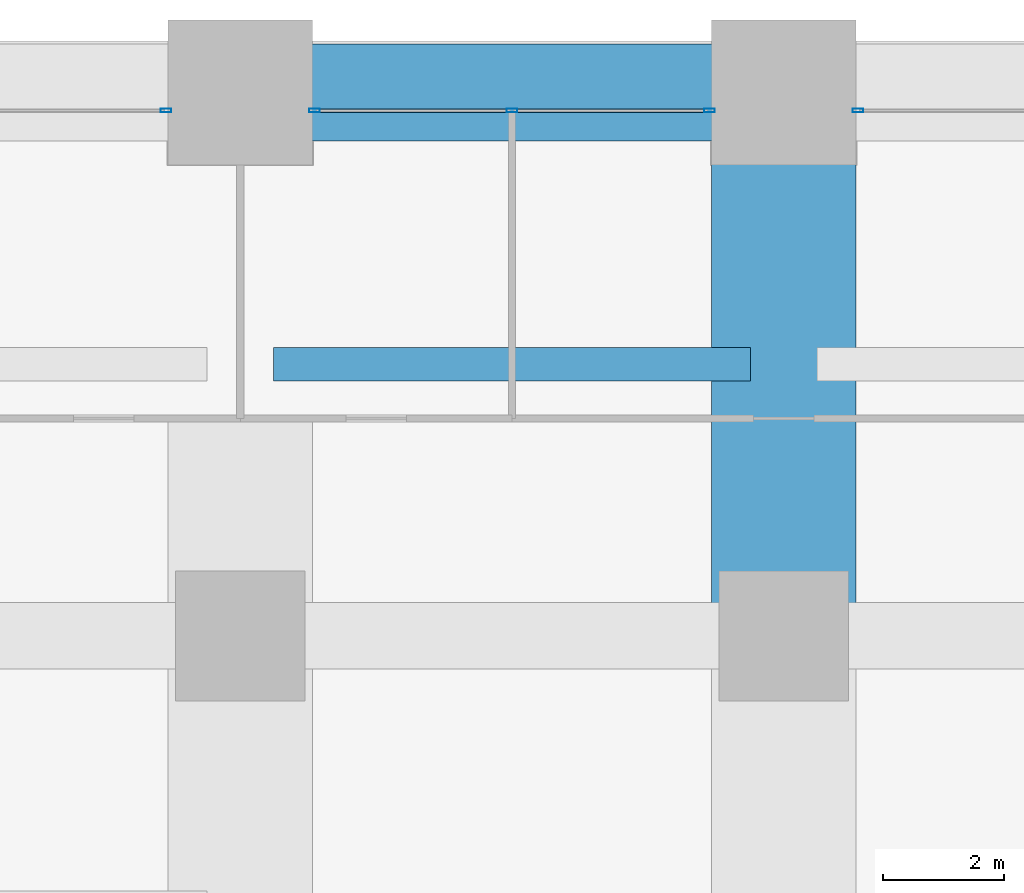
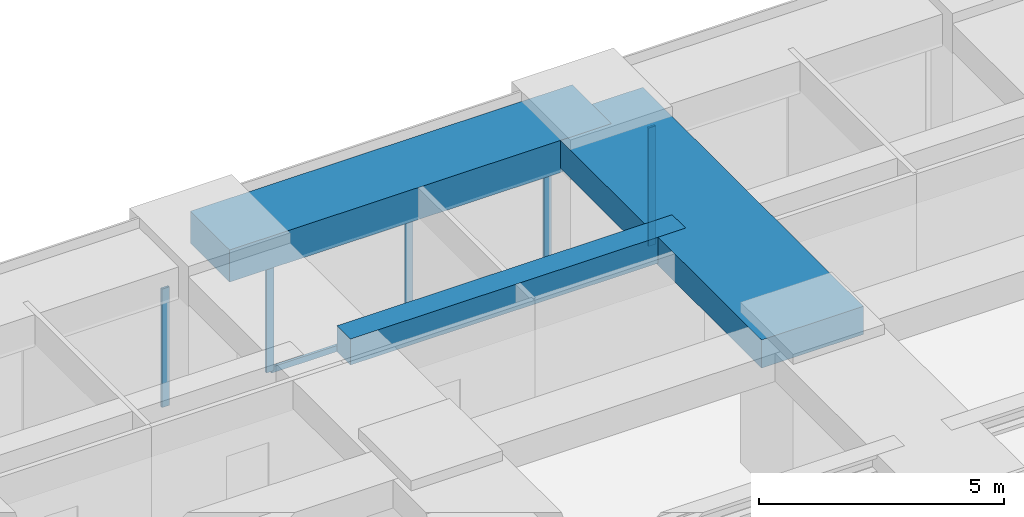
# One storey, part 29 of 45: 6 members, 3 beams, 3 elements without a shape of their own.
"""IFC4 building model written with IfcOpenShell, lengths in metres."""

import ifcopenshell
import ifcopenshell.guid

model = None  # the IFC model being written
_history = None  # IfcOwnerHistory: only IFC2X3 demands one
_inside = {}  # id of a spatial element -> (the spatial element, [elements in it])
_under = {}  # id of a project, library or spatial element -> (it, [spatial elements below it])
_declared = {}  # id of a project -> (the project, [libraries it declares])
_typed = {}  # id of a type object -> (the type object, [elements of that type])
_made_of = {}  # id of a material, layer set ... -> (it, [elements and type objects made of it])


def new_model(schema):
    """Start an empty IFC model of exactly this schema.

    Asked for "IFC4X3", IfcOpenShell would pick the latest addendum, in which some entities
    have other attributes; the version numbers below select the first issue.
    IFC2X3 requires an IfcOwnerHistory on every rooted entity: one is made here for all.
    """
    global model, _history
    if schema == "IFC4X3":
        model = ifcopenshell.file(schema_version=(4, 3, 0, 0))
    else:
        model = ifcopenshell.file(schema=schema)
    _inside.clear()
    _under.clear()
    _declared.clear()
    _typed.clear()
    _made_of.clear()
    _history = None
    if model.schema == "IFC2X3":
        org = make("IfcOrganization", Name="unknown")
        user = make(
            "IfcPersonAndOrganization",
            ThePerson=make("IfcPerson", FamilyName="unknown"),
            TheOrganization=org,
        )
        app = make(
            "IfcApplication",
            ApplicationDeveloper=org,
            Version="unknown",
            ApplicationFullName="unknown",
            ApplicationIdentifier="unknown",
        )
        _history = make(
            "IfcOwnerHistory",
            OwningUser=user,
            OwningApplication=app,
            ChangeAction="ADDED",
            CreationDate=0,
        )
    return model


def make(cls, **values):
    """One entity of the class cls with the attributes given. An attribute that is None is left unset."""
    return model.create_entity(
        cls, **{name: value for name, value in values.items() if value is not None}
    )


def rooted(cls, **values):
    """An entity with a GlobalId (a new one), such as an element, a storey or a relation."""
    return make(cls, GlobalId=ifcopenshell.guid.new(), OwnerHistory=_history, **values)


def si_unit(unit_type, name, prefix=None):
    """IfcSIUnit, for example si_unit("LENGTHUNIT", "METRE", prefix="MILLI")."""
    return make("IfcSIUnit", UnitType=unit_type, Prefix=prefix, Name=name)


def assignment(units):
    """IfcUnitAssignment: the units of a project."""
    return None if units is None else make("IfcUnitAssignment", Units=units)


def point(xyz):
    """IfcCartesianPoint."""
    return None if xyz is None else make("IfcCartesianPoint", Coordinates=xyz)


def direction(xyz):
    """IfcDirection."""
    return None if xyz is None else make("IfcDirection", DirectionRatios=xyz)


def frame(location, z_axis=None, x_axis=None):
    """IfcAxis2Placement3D, a coordinate frame: its origin and axes. An axis left out is left unset."""
    return make(
        "IfcAxis2Placement3D",
        Location=point(location),
        Axis=direction(z_axis),
        RefDirection=direction(x_axis),
    )


def frame_2d(location, x_axis=None):
    """IfcAxis2Placement2D, a coordinate frame in the plane: its origin and x axis."""
    return make(
        "IfcAxis2Placement2D", Location=point(location), RefDirection=direction(x_axis)
    )


def origin():
    """The frame at (0, 0, 0) with its axes left unset."""
    return frame((0.0, 0.0, 0.0))


def origin_2d():
    """The frame at (0, 0) in the plane with its x axis left unset."""
    return frame_2d((0.0, 0.0))


def place(relative_to, where):
    """IfcLocalPlacement: puts the frame where relative to a parent placement (None: the world)."""
    return make(
        "IfcLocalPlacement", PlacementRelTo=relative_to, RelativePlacement=where
    )


def context(
    kind, dimensions, precision=None, world=None, true_north=None, identifier=None
):
    """IfcGeometricRepresentationContext, for example the 3D "Model" context."""
    return make(
        "IfcGeometricRepresentationContext",
        ContextIdentifier=identifier,
        ContextType=kind,
        CoordinateSpaceDimension=dimensions,
        Precision=precision,
        WorldCoordinateSystem=world,
        TrueNorth=true_north,
    )


def subcontext(parent, identifier, kind, view, scale=None):
    """IfcGeometricRepresentationSubContext, for example "Body" below "Model"."""
    return make(
        "IfcGeometricRepresentationSubContext",
        ContextIdentifier=identifier,
        ContextType=kind,
        ParentContext=parent,
        TargetScale=scale,
        TargetView=view,
    )


def project(units=None, contexts=None):
    """IfcProject with its units and contexts."""
    return rooted(
        "IfcProject",
        Name="project",
        RepresentationContexts=contexts,
        UnitsInContext=assignment(units),
    )


def spatial(cls, under=None, at=None, **own):
    """A site, building, storey or space (cls), placed at a placement, below another one or the project."""
    s = rooted(cls, ObjectPlacement=at, **own)
    if under is not None:
        _under.setdefault(under.id(), (under, []))[1].append(s)
    return s


def profile(cls, at=None, kind="AREA", **sizes):
    """A parametric profile (cls). Its sizes go by their IFC names, for example OverallWidth=200.0."""
    return make(cls, ProfileType=kind, Position=at, **sizes)


def rectangle(**sizes):
    """IfcRectangleProfileDef."""
    return profile("IfcRectangleProfileDef", **sizes)


def hollow_rectangle(**sizes):
    """IfcRectangleHollowProfileDef."""
    return profile("IfcRectangleHollowProfileDef", **sizes)


def extrude(swept, where, along, depth):
    """IfcExtrudedAreaSolid: the profile swept, set in the frame where, extruded along a direction by depth."""
    return make(
        "IfcExtrudedAreaSolid",
        SweptArea=swept,
        Position=where,
        ExtrudedDirection=direction(along),
        Depth=depth,
    )


def shape(context_of_items, identifier, shape_type, items):
    """IfcShapeRepresentation: the items that make up one representation, for example the "Body"."""
    return make(
        "IfcShapeRepresentation",
        ContextOfItems=context_of_items,
        RepresentationIdentifier=identifier,
        RepresentationType=shape_type,
        Items=items,
    )


def material(Name=None, Category=None):
    """IfcMaterial."""
    return make("IfcMaterial", Name=Name, Category=Category)


def material_profile(
    of_material, cross_section, Name=None, Category=None, Priority=None
):
    """IfcMaterialProfile: a cross section and its material."""
    return make(
        "IfcMaterialProfile",
        Name=Name,
        Material=of_material,
        Profile=cross_section,
        Priority=Priority,
        Category=Category,
    )


def profile_set(profiles, Name=None, composite=None):
    """IfcMaterialProfileSet."""
    return make(
        "IfcMaterialProfileSet",
        Name=Name,
        MaterialProfiles=profiles,
        CompositeProfile=composite,
    )


def made_of(thing, what):
    """Note that an element or type object is made of a material, layer set ...; save() writes the relation."""
    if what is not None:
        _made_of.setdefault(what.id(), (what, []))[1].append(thing)
    return thing


def type_object(cls, material=None, **own):
    """A type object (cls), such as IfcWallType, which elements share."""
    return made_of(rooted(cls, **own), material)


def element(
    cls,
    number,
    at=None,
    inside=None,
    cuts=None,
    type_object=None,
    material=None,
    context=None,
    identifier="Body",
    shape_type=None,
    held_by="IfcProductDefinitionShape",
    body=None,
    shapes=None,
    **own,
):
    """One element of the class cls, such as IfcWall. Its Tag is "e" and its number.

    at: its placement. inside: the storey or other place that contains it. cuts: it is an
    opening in that element (IfcRelVoidsElement). A single representation is given by context,
    identifier, shape_type and body (its items); several are given by shapes. held_by: the class
    of the entity that holds the representations. save() writes the other relations.
    """
    e = rooted(cls, Tag="e%d" % number, ObjectPlacement=at, **own)
    if body is not None:
        shapes = [shape(context, identifier, shape_type, body)]
    if shapes is not None:
        e.Representation = make(held_by, Representations=shapes)
    if inside is not None:
        _inside.setdefault(inside.id(), (inside, []))[1].append(e)
    if cuts is not None:
        rooted(
            "IfcRelVoidsElement", RelatingBuildingElement=cuts, RelatedOpeningElement=e
        )
    if type_object is not None:
        _typed.setdefault(type_object.id(), (type_object, []))[1].append(e)
    return made_of(e, material)


def aggregate(whole, parts):
    """IfcRelAggregates: a whole, such as a stair, and the parts it consists of."""
    return rooted("IfcRelAggregates", RelatingObject=whole, RelatedObjects=parts)


def save(model, path):
    """Write the relations noted so far, then the file.

    IfcRelAggregates (storeys below a building ...), IfcRelContainedInSpatialStructure (elements
    in a storey), IfcRelDefinesByType, IfcRelAssociatesMaterial and IfcRelDeclares: one each for
    every whole, place, type object, material and project.
    """
    for whole, parts in _under.values():
        aggregate(whole, parts)
    for where, things in _inside.values():
        rooted(
            "IfcRelContainedInSpatialStructure",
            RelatedElements=things,
            RelatingStructure=where,
        )
    for kind, things in _typed.values():
        rooted("IfcRelDefinesByType", RelatedObjects=things, RelatingType=kind)
    for what, things in _made_of.values():
        rooted("IfcRelAssociatesMaterial", RelatedObjects=things, RelatingMaterial=what)
    for by, libraries in _declared.values():
        rooted("IfcRelDeclares", RelatingContext=by, RelatedDefinitions=libraries)
    model.write(path)


model = new_model("IFC4")

# Units and contexts
model_context = context("Model", 3, precision=1e-05, world=origin(), true_north=direction((0.0, 1.0)))
body_context = subcontext(model_context, "Body", "Model", "MODEL_VIEW")
ifc_project = project(units=[si_unit("LENGTHUNIT", "METRE"), si_unit("AREAUNIT", "SQUARE_METRE"), si_unit("VOLUMEUNIT", "CUBIC_METRE"), si_unit("PLANEANGLEUNIT", "RADIAN"), si_unit("MASSUNIT", "GRAM", prefix="KILO")], contexts=[model_context])

# Site, building, storey
site_placement = place(None, origin())
site = spatial("IfcSite", under=ifc_project, at=site_placement, CompositionType="ELEMENT")
building_placement = place(site_placement, origin())
building = spatial("IfcBuilding", under=site, at=building_placement, Name="Zorevar Civic Tower", CompositionType="ELEMENT")
storey_placement = place(building_placement, frame((0.0, 0.0, 71.800048828125)))
storey = spatial("IfcBuildingStorey", under=building, at=storey_placement, Name="L17", CompositionType="ELEMENT", Elevation=71.800048828125)

# Beams
ifc_material_1 = material(Name="Concrete C50/60", Category="concrete")
ifc_material_profile_1 = material_profile(ifc_material_1, rectangle(XDim=2.39990234375, YDim=0.699951171875, at=origin_2d()), Name="RC 2400x700")
ifc_profile_set_1 = profile_set([ifc_material_profile_1], Name="Concrete C50/60")
beam_type_1 = type_object("IfcBeamType", Name="Beam RC 2400x700", PredefinedType="BEAM", material=ifc_profile_set_1)
beam_1_placement = place(storey_placement, frame((27.0, 45.0, 3.39990234375), z_axis=(0.0, 1.0, 0.0), x_axis=(-1.0, 0.0, 0.0)))
element("IfcBeam", 1, at=beam_1_placement, inside=storey, type_object=beam_type_1, Name="Girder L18", PredefinedType="BEAM", context=body_context, shape_type="SweptSolid", body=[
    extrude(rectangle(XDim=2.39990234375, YDim=0.699951171875, at=origin_2d()), origin(), (0.0, 0.0, 1.0), 9.0),
])
ifc_material_2 = material(Name="Concrete C50/60", Category="concrete")
ifc_material_profile_2 = material_profile(ifc_material_2, rectangle(XDim=0.550048828125, YDim=0.64990234375, at=origin_2d()), Name="RC 550x650")
ifc_profile_set_2 = profile_set([ifc_material_profile_2], Name="Concrete C50/60")
beam_type_2 = type_object("IfcBeamType", Name="Beam RC 550x650", PredefinedType="BEAM", material=ifc_profile_set_2)
beam_2_placement = place(storey_placement, frame((18.550048828125, 49.5, 3.425048828125), z_axis=(1.0, 0.0, 0.0), x_axis=(0.0, 1.0, 0.0)))
element("IfcBeam", 2, at=beam_2_placement, inside=storey, type_object=beam_type_2, Name="Secondary beam L18", PredefinedType="BEAM", context=body_context, shape_type="SweptSolid", body=[
    extrude(rectangle(XDim=0.550048828125, YDim=0.64990234375, at=origin_2d()), origin(), (0.0, 0.0, 1.0), 7.89990234375),
])

# Curtain wall, member
ifc_material_3 = material(Name="Dark grey solar-control glass in black aluminium frame", Category="aluminium")
curtain_wall_type = type_object("IfcCurtainWallType", Name="Curtain wall CW2 low zone", PredefinedType="NOTDEFINED", material=ifc_material_3)
curtain_wall_1_placement = place(storey_placement, origin())
curtain_wall_1 = element("IfcCurtainWall", 3, at=curtain_wall_1_placement, inside=storey, type_object=curtain_wall_type, Name="CW2 L17", PredefinedType="NOTDEFINED")
ifc_material_4 = material(Name="Aluminium, black anodised", Category="aluminium")
ifc_material_profile_3 = material_profile(ifc_material_4, hollow_rectangle(XDim=0.06005859375, YDim=0.179931640625, WallThickness=0.00390625, at=origin_2d()), Name="AL 180x60x4")
ifc_profile_set_3 = profile_set([ifc_material_profile_3], Name="Aluminium, black anodised")
member_type_1 = type_object("IfcMemberType", Name="CW2 mullion AL 180x60x4", PredefinedType="MULLION", material=ifc_profile_set_3)
member_1_placement = place(storey_placement, frame((16.77001953125, 53.699951171875, 0.0), z_axis=(0.0, 0.0, 1.0), x_axis=(0.0, 1.0, 0.0)))
member_1 = element("IfcMember", 4, at=member_1_placement, type_object=member_type_1, Name="CW2 mullion 3", PredefinedType="MULLION", context=body_context, shape_type="SweptSolid", body=[
    extrude(hollow_rectangle(XDim=0.06005859375, YDim=0.179931640625, WallThickness=0.00390625, at=origin_2d()), origin(), (0.0, 0.0, 1.0), 2.949951171875),
])
aggregate(curtain_wall_1, [member_1])

# Curtain wall, members
curtain_wall_2_placement = place(storey_placement, origin())
curtain_wall_2 = element("IfcCurtainWall", 5, at=curtain_wall_2_placement, inside=storey, type_object=curtain_wall_type, Name="CW2 L17", PredefinedType="NOTDEFINED")
member_2_placement = place(storey_placement, frame((19.22998046875, 53.699951171875, 0.0), z_axis=(0.0, 0.0, 1.0), x_axis=(0.0, 1.0, 0.0)))
member_2 = element("IfcMember", 6, at=member_2_placement, type_object=member_type_1, Name="CW2 mullion 1", PredefinedType="MULLION", context=body_context, shape_type="SweptSolid", body=[
    extrude(hollow_rectangle(XDim=0.06005859375, YDim=0.179931640625, WallThickness=0.00390625, at=origin_2d()), origin(), (0.0, 0.0, 1.0), 2.949951171875),
])
member_3_placement = place(storey_placement, frame((22.5, 53.699951171875, 0.06005859375), z_axis=(0.0, 0.0, 1.0), x_axis=(0.0, 1.0, 0.0)))
member_3 = element("IfcMember", 7, at=member_3_placement, type_object=member_type_1, Name="CW2 mullion 2", PredefinedType="MULLION", context=body_context, shape_type="SweptSolid", body=[
    extrude(hollow_rectangle(XDim=0.06005859375, YDim=0.179931640625, WallThickness=0.00390625, at=origin_2d()), origin(), (0.0, 0.0, 1.0), 2.889892578125),
])
member_4_placement = place(storey_placement, frame((25.77001953125, 53.699951171875, 0.0), z_axis=(0.0, 0.0, 1.0), x_axis=(0.0, 1.0, 0.0)))
member_4 = element("IfcMember", 8, at=member_4_placement, type_object=member_type_1, Name="CW2 mullion 3", PredefinedType="MULLION", context=body_context, shape_type="SweptSolid", body=[
    extrude(hollow_rectangle(XDim=0.06005859375, YDim=0.179931640625, WallThickness=0.00390625, at=origin_2d()), origin(), (0.0, 0.0, 1.0), 2.949951171875),
])

# Curtain wall, member
curtain_wall_3_placement = place(storey_placement, origin())
curtain_wall_3 = element("IfcCurtainWall", 9, at=curtain_wall_3_placement, inside=storey, type_object=curtain_wall_type, Name="CW2 L17", PredefinedType="NOTDEFINED")
member_5_placement = place(storey_placement, frame((28.22998046875, 53.699951171875, 0.0), z_axis=(0.0, 0.0, 1.0), x_axis=(0.0, 1.0, 0.0)))
member_5 = element("IfcMember", 10, at=member_5_placement, type_object=member_type_1, Name="CW2 mullion 1", PredefinedType="MULLION", context=body_context, shape_type="SweptSolid", body=[
    extrude(hollow_rectangle(XDim=0.06005859375, YDim=0.179931640625, WallThickness=0.00390625, at=origin_2d()), origin(), (0.0, 0.0, 1.0), 2.949951171875),
])
aggregate(curtain_wall_3, [member_5])

# Member
ifc_material_5 = material(Name="Aluminium, black anodised", Category="aluminium")
ifc_material_profile_4 = material_profile(ifc_material_5, hollow_rectangle(XDim=0.06005859375, YDim=0.14990234375, WallThickness=0.00390625, at=origin_2d()), Name="AL 150x60x4")
ifc_profile_set_4 = profile_set([ifc_material_profile_4], Name="Aluminium, black anodised")
member_type_2 = type_object("IfcMemberType", Name="CW2 transom AL 150x60x4", PredefinedType="USERDEFINED", material=ifc_profile_set_4)
member_6_placement = place(storey_placement, frame((19.260009765625, 53.699951171875, 0.030029296875), z_axis=(1.0, 0.0, 0.0), x_axis=(0.0, 1.0, 0.0)))
member_6 = element("IfcMember", 11, at=member_6_placement, type_object=member_type_2, Name="CW2 sill transom", ObjectType="TRANSOM", PredefinedType="USERDEFINED", context=body_context, shape_type="SweptSolid", body=[
    extrude(hollow_rectangle(XDim=0.06005859375, YDim=0.14990234375, WallThickness=0.00390625, at=origin_2d()), origin(), (0.0, 0.0, 1.0), 6.47998046875),
])

aggregate(curtain_wall_2, [member_2, member_3, member_4, member_6])

# Beam
ifc_material_6 = material(Name="Concrete C50/60", Category="concrete")
ifc_material_profile_5 = material_profile(ifc_material_6, rectangle(XDim=1.60009765625, YDim=0.800048828125, at=origin_2d()), Name="RC 1600x800")
ifc_profile_set_5 = profile_set([ifc_material_profile_5], Name="Concrete C50/60")
beam_type_3 = type_object("IfcBeamType", Name="Edge beam RC 1600x800", PredefinedType="SPANDREL", material=ifc_profile_set_5)
beam_3_placement = place(storey_placement, frame((18.0, 54.0, 3.349853515625), z_axis=(1.0, 0.0, 0.0), x_axis=(0.0, 1.0, 0.0)))
element("IfcBeam", 12, at=beam_3_placement, inside=storey, type_object=beam_type_3, Name="Edge beam L18", PredefinedType="SPANDREL", context=body_context, shape_type="SweptSolid", body=[
    extrude(rectangle(XDim=1.60009765625, YDim=0.800048828125, at=origin_2d()), origin(), (0.0, 0.0, 1.0), 9.0),
])

save(model, "model.ifc")
